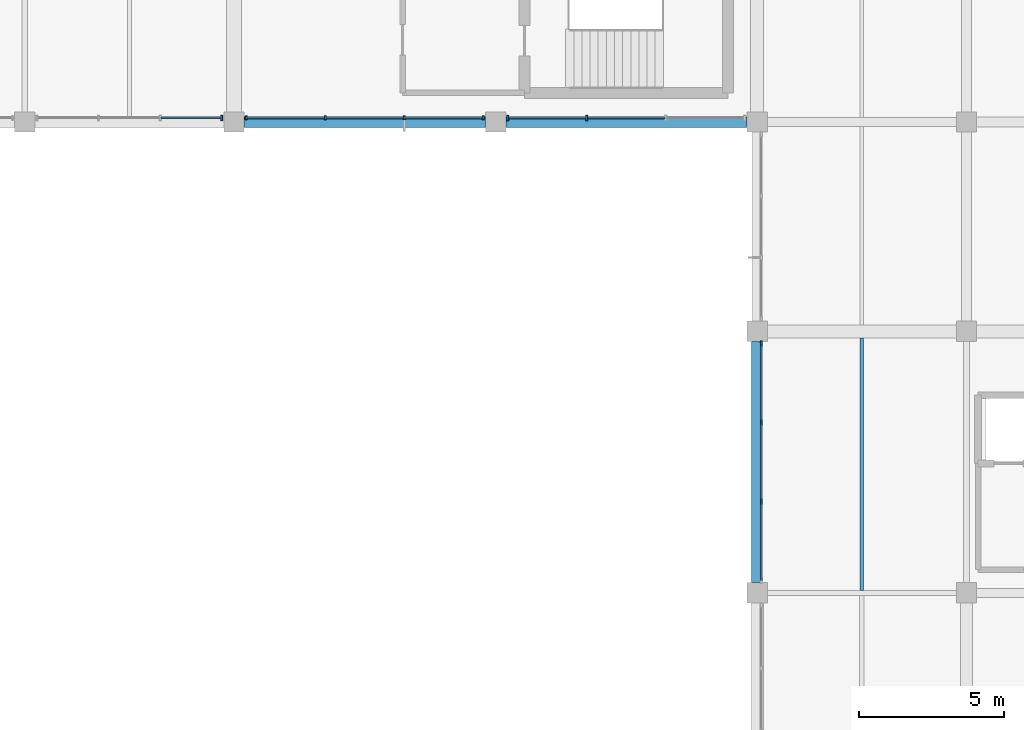
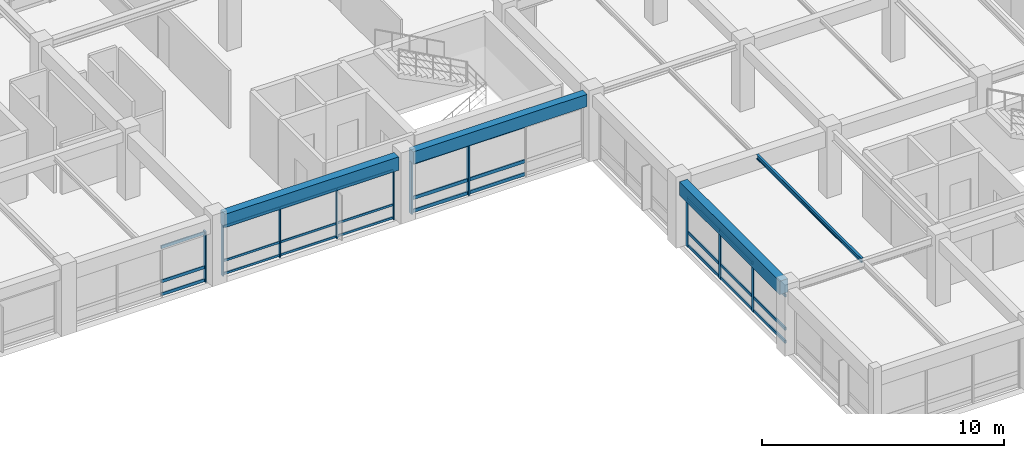
# One storey, part 27 of 52: 37 members, 4 beams, 4 elements without a shape of their own.
"""IFC4 building model written with IfcOpenShell, lengths in metres."""

from ifc_helpers import new_model, si_unit, direction, frame, origin, origin_2d, place, context, subcontext, project, spatial, rectangle, i_section, extrude, material, material_profile, profile_set, type_object, element, aggregate, save


model = new_model("IFC4")

# Units and contexts
model_context = context("Model", 3, precision=1e-05, world=origin(), true_north=direction((0.0, 1.0)))
body_context = subcontext(model_context, "Body", "Model", "MODEL_VIEW")
ifc_project = project(units=[si_unit("LENGTHUNIT", "METRE"), si_unit("AREAUNIT", "SQUARE_METRE"), si_unit("VOLUMEUNIT", "CUBIC_METRE"), si_unit("PLANEANGLEUNIT", "RADIAN"), si_unit("MASSUNIT", "GRAM", prefix="KILO")], contexts=[model_context])

# Site, building, storey
site_placement = place(None, origin())
site = spatial("IfcSite", under=ifc_project, at=site_placement, CompositionType="ELEMENT")
building_placement = place(site_placement, origin())
building = spatial("IfcBuilding", under=site, at=building_placement, Name="Clarverna Civic Hall", CompositionType="ELEMENT")
storey_placement = place(building_placement, frame((0.0, 0.0, 16.800048828125)))
storey = spatial("IfcBuildingStorey", under=building, at=storey_placement, Name="L04", CompositionType="ELEMENT", Elevation=16.800048828125)

# Beams
ifc_material_1 = material(Name="Concrete C35/45", Category="concrete")
ifc_material_profile_1 = material_profile(ifc_material_1, rectangle(XDim=0.3798828125, YDim=0.679931640625, at=origin_2d()), Name="RC 380x680")
ifc_profile_set_1 = profile_set([ifc_material_profile_1], Name="Concrete C35/45")
beam_type_1 = type_object("IfcBeamType", Name="B-SP2", PredefinedType="SPANDREL", material=ifc_profile_set_1)
for number, where, z_axis, x_axis, name in (
    (1, (129.949951171875, 95.0, 2.97998046875), (1.0, 0.0, 0.0), (0.0, 1.0, 0.0), "B-SP2-135"),
    (2, (147.60009765625, 79.14990234375, 2.97998046875), (0.0, 1.0, 0.0), (-1.0, 0.0, 0.0), "B-SP2-148"),
):
    element("IfcBeam", number, at=place(storey_placement, frame(where, z_axis=z_axis, x_axis=x_axis)), inside=storey, type_object=beam_type_1, Name=name, PredefinedType="SPANDREL", context=body_context, shape_type="SweptSolid", body=[
        extrude(rectangle(XDim=0.3798828125, YDim=0.679931640625, at=origin_2d()), origin(), (0.0, 0.0, 1.0), 8.300048828125),
    ])
ifc_material_profile_2 = material_profile(ifc_material_1, rectangle(XDim=0.360107421875, YDim=0.6201171875, at=origin_2d()), Name="RC 360x620")
ifc_profile_set_2 = profile_set([ifc_material_profile_2], Name="Concrete C35/45")
beam_type_2 = type_object("IfcBeamType", Name="B-SP3", PredefinedType="SPANDREL", material=ifc_profile_set_2)
beam_1_placement = place(storey_placement, frame((138.949951171875, 95.0, 3.010009765625), z_axis=(1.0, 0.0, 0.0), x_axis=(0.0, 1.0, 0.0)))
element("IfcBeam", 3, at=beam_1_placement, inside=storey, type_object=beam_type_2, Name="B-SP3-134", PredefinedType="SPANDREL", context=body_context, shape_type="SweptSolid", body=[
    extrude(rectangle(XDim=0.360107421875, YDim=0.6201171875, at=origin_2d()), origin(), (0.0, 0.0, 1.0), 8.300048828125),
])

# Curtain wall, members
ifc_material_2 = material(Name="Anodised Bronze Architectural Aluminium", Category="aluminium")
curtain_wall_type = type_object("IfcCurtainWallType", Name="CW-01", PredefinedType="USERDEFINED", material=ifc_material_2)
curtain_wall_1_placement = place(storey_placement, origin())
curtain_wall_1 = element("IfcCurtainWall", 4, at=curtain_wall_1_placement, inside=storey, type_object=curtain_wall_type, Name="CW-01-095", ObjectType="UNITISED CURTAIN WALL", PredefinedType="USERDEFINED")
ifc_material_profile_3 = material_profile(ifc_material_2, rectangle(XDim=0.06005859375, YDim=0.179931640625, at=origin_2d()), Name="BRONZE 60x180")
ifc_profile_set_3 = profile_set([ifc_material_profile_3], Name="Anodised Bronze Architectural Aluminium")
member_type_1 = type_object("IfcMemberType", Name="CWM-01", PredefinedType="MULLION", material=ifc_profile_set_3)
member_1_placement = place(storey_placement, frame((147.739990234375, 81.94091796875, 0.0), z_axis=(0.0, 0.0, 1.0), x_axis=(1.0, 0.0, 0.0)))
member_1 = element("IfcMember", 5, at=member_1_placement, type_object=member_type_1, Name="CWM-01-171", PredefinedType="MULLION", context=body_context, shape_type="SweptSolid", body=[
    extrude(rectangle(XDim=0.06005859375, YDim=0.179931640625, at=origin_2d()), origin(), (0.0, 0.0, 1.0), 2.52001953125),
])
member_2_placement = place(storey_placement, frame((147.739990234375, 84.658935546875, 0.0), z_axis=(0.0, 0.0, 1.0), x_axis=(1.0, 0.0, 0.0)))
member_2 = element("IfcMember", 6, at=member_2_placement, type_object=member_type_1, Name="CWM-01-172", PredefinedType="MULLION", context=body_context, shape_type="SweptSolid", body=[
    extrude(rectangle(XDim=0.06005859375, YDim=0.179931640625, at=origin_2d()), origin(), (0.0, 0.0, 1.0), 2.52001953125),
])
member_3_placement = place(storey_placement, frame((147.739990234375, 87.376953125, 0.0), z_axis=(0.0, 0.0, 1.0), x_axis=(1.0, 0.0, 0.0)))
member_3 = element("IfcMember", 7, at=member_3_placement, type_object=member_type_1, Name="CWM-01-173", PredefinedType="MULLION", context=body_context, shape_type="SweptSolid", body=[
    extrude(rectangle(XDim=0.06005859375, YDim=0.179931640625, at=origin_2d()), origin(), (0.0, 0.0, 1.0), 2.52001953125),
])

# Curtain wall, member
curtain_wall_2_placement = place(storey_placement, origin())
curtain_wall_2 = element("IfcCurtainWall", 8, at=curtain_wall_2_placement, inside=storey, type_object=curtain_wall_type, Name="CW-01-099", ObjectType="UNITISED CURTAIN WALL", PredefinedType="USERDEFINED")
member_4_placement = place(storey_placement, frame((129.177001953125, 95.139892578125, 0.0), z_axis=(0.0, 0.0, 1.0), x_axis=(1.0, 0.0, 0.0)))
member_4 = element("IfcMember", 9, at=member_4_placement, type_object=member_type_1, Name="CWM-01-174", PredefinedType="MULLION", context=body_context, shape_type="SweptSolid", body=[
    extrude(rectangle(XDim=0.06005859375, YDim=0.179931640625, at=origin_2d()), origin(), (0.0, 0.0, 1.0), 2.570068359375),
])

# Curtain wall, members
curtain_wall_3_placement = place(storey_placement, origin())
curtain_wall_3 = element("IfcCurtainWall", 10, at=curtain_wall_3_placement, inside=storey, type_object=curtain_wall_type, Name="CW-01-097", ObjectType="UNITISED CURTAIN WALL", PredefinedType="USERDEFINED")
ifc_material_profile_4 = material_profile(ifc_material_2, rectangle(XDim=0.06494140625, YDim=0.199951171875, at=origin_2d()), Name="BRONZE 65x200")
ifc_profile_set_4 = profile_set([ifc_material_profile_4], Name="Anodised Bronze Architectural Aluminium")
member_type_2 = type_object("IfcMemberType", Name="CWM-03", PredefinedType="MULLION", material=ifc_profile_set_4)
member_5_placement = place(storey_placement, frame((141.740966796875, 95.139892578125, 0.0), z_axis=(0.0, 0.0, 1.0), x_axis=(1.0, 0.0, 0.0)))
member_5 = element("IfcMember", 11, at=member_5_placement, type_object=member_type_2, Name="CWM-03-178", PredefinedType="MULLION", context=body_context, shape_type="SweptSolid", body=[
    extrude(rectangle(XDim=0.06494140625, YDim=0.199951171875, at=origin_2d()), origin(), (0.0, 0.0, 1.0), 2.619873046875),
])
member_6_placement = place(storey_placement, frame((139.02294921875, 95.139892578125, 0.0), z_axis=(0.0, 0.0, 1.0), x_axis=(1.0, 0.0, 0.0)))
member_6 = element("IfcMember", 12, at=member_6_placement, type_object=member_type_2, Name="CWM-03-179", PredefinedType="MULLION", context=body_context, shape_type="SweptSolid", body=[
    extrude(rectangle(XDim=0.06494140625, YDim=0.199951171875, at=origin_2d()), origin(), (0.0, 0.0, 1.0), 2.619873046875),
])

curtain_wall_4_placement = place(storey_placement, origin())
curtain_wall_4 = element("IfcCurtainWall", 13, at=curtain_wall_4_placement, inside=storey, type_object=curtain_wall_type, Name="CW-01-098", ObjectType="UNITISED CURTAIN WALL", PredefinedType="USERDEFINED")
ifc_material_profile_5 = material_profile(ifc_material_2, rectangle(XDim=0.054931640625, YDim=0.139892578125, at=origin_2d()), Name="BRONZE 55x140")
ifc_profile_set_5 = profile_set([ifc_material_profile_5], Name="Anodised Bronze Architectural Aluminium")
member_type_3 = type_object("IfcMemberType", Name="CWM-04", PredefinedType="MULLION", material=ifc_profile_set_5)
member_7_placement = place(storey_placement, frame((138.177001953125, 95.139892578125, 0.0), z_axis=(0.0, 0.0, 1.0), x_axis=(1.0, 0.0, 0.0)))
member_7 = element("IfcMember", 14, at=member_7_placement, type_object=member_type_3, Name="CWM-04-199", PredefinedType="MULLION", context=body_context, shape_type="SweptSolid", body=[
    extrude(rectangle(XDim=0.054931640625, YDim=0.139892578125, at=origin_2d()), origin(), (0.0, 0.0, 1.0), 2.570068359375),
])
member_8_placement = place(storey_placement, frame((135.458984375, 95.139892578125, 0.0), z_axis=(0.0, 0.0, 1.0), x_axis=(1.0, 0.0, 0.0)))
member_8 = element("IfcMember", 15, at=member_8_placement, type_object=member_type_3, Name="CWM-04-200", PredefinedType="MULLION", context=body_context, shape_type="SweptSolid", body=[
    extrude(rectangle(XDim=0.054931640625, YDim=0.139892578125, at=origin_2d()), origin(), (0.0, 0.0, 1.0), 2.570068359375),
])
member_9_placement = place(storey_placement, frame((132.740966796875, 95.139892578125, 0.0), z_axis=(0.0, 0.0, 1.0), x_axis=(1.0, 0.0, 0.0)))
member_9 = element("IfcMember", 16, at=member_9_placement, type_object=member_type_3, Name="CWM-04-201", PredefinedType="MULLION", context=body_context, shape_type="SweptSolid", body=[
    extrude(rectangle(XDim=0.054931640625, YDim=0.139892578125, at=origin_2d()), origin(), (0.0, 0.0, 1.0), 2.570068359375),
])
member_10_placement = place(storey_placement, frame((130.02294921875, 95.139892578125, 0.0), z_axis=(0.0, 0.0, 1.0), x_axis=(1.0, 0.0, 0.0)))
member_10 = element("IfcMember", 17, at=member_10_placement, type_object=member_type_3, Name="CWM-04-202", PredefinedType="MULLION", context=body_context, shape_type="SweptSolid", body=[
    extrude(rectangle(XDim=0.054931640625, YDim=0.139892578125, at=origin_2d()), origin(), (0.0, 0.0, 1.0), 2.570068359375),
])

# Member
ifc_material_profile_6 = material_profile(ifc_material_2, rectangle(XDim=0.06005859375, YDim=0.14990234375, at=origin_2d()), Name="BRONZE 60x150")
ifc_profile_set_6 = profile_set([ifc_material_profile_6], Name="Anodised Bronze Architectural Aluminium")
member_type_4 = type_object("IfcMemberType", Name="CWT-01", PredefinedType="USERDEFINED", material=ifc_profile_set_6)
member_11_placement = place(storey_placement, frame((147.739990234375, 79.238037109375, 0.094970703125), z_axis=(0.0, 1.0, 0.0), x_axis=(-1.0, 0.0, 0.0)))
member_11 = element("IfcMember", 18, at=member_11_placement, type_object=member_type_4, Name="CWT-01-361", ObjectType="TRANSOM", PredefinedType="USERDEFINED", context=body_context, shape_type="SweptSolid", body=[
    extrude(rectangle(XDim=0.06005859375, YDim=0.14990234375, at=origin_2d()), origin(), (0.0, 0.0, 1.0), 2.68798828125),
])

member_12_placement = place(storey_placement, frame((147.739990234375, 79.238037109375, 0.75), z_axis=(0.0, 1.0, 0.0), x_axis=(-1.0, 0.0, 0.0)))
member_12 = element("IfcMember", 19, at=member_12_placement, type_object=member_type_4, Name="CWT-01-362", ObjectType="TRANSOM", PredefinedType="USERDEFINED", context=body_context, shape_type="SweptSolid", body=[
    extrude(rectangle(XDim=0.06005859375, YDim=0.14990234375, at=origin_2d()), origin(), (0.0, 0.0, 1.0), 2.68798828125),
])

member_13_placement = place(storey_placement, frame((147.739990234375, 79.238037109375, 2.425048828125), z_axis=(0.0, 1.0, 0.0), x_axis=(-1.0, 0.0, 0.0)))
member_13 = element("IfcMember", 20, at=member_13_placement, type_object=member_type_4, Name="CWT-01-363", ObjectType="TRANSOM", PredefinedType="USERDEFINED", context=body_context, shape_type="SweptSolid", body=[
    extrude(rectangle(XDim=0.06005859375, YDim=0.14990234375, at=origin_2d()), origin(), (0.0, 0.0, 1.0), 2.68798828125),
])

member_14_placement = place(storey_placement, frame((147.739990234375, 81.9560546875, 0.094970703125), z_axis=(0.0, 1.0, 0.0), x_axis=(-1.0, 0.0, 0.0)))
member_14 = element("IfcMember", 21, at=member_14_placement, type_object=member_type_4, Name="CWT-01-364", ObjectType="TRANSOM", PredefinedType="USERDEFINED", context=body_context, shape_type="SweptSolid", body=[
    extrude(rectangle(XDim=0.06005859375, YDim=0.14990234375, at=origin_2d()), origin(), (0.0, 0.0, 1.0), 2.68798828125),
])

member_15_placement = place(storey_placement, frame((147.739990234375, 81.9560546875, 0.75), z_axis=(0.0, 1.0, 0.0), x_axis=(-1.0, 0.0, 0.0)))
member_15 = element("IfcMember", 22, at=member_15_placement, type_object=member_type_4, Name="CWT-01-365", ObjectType="TRANSOM", PredefinedType="USERDEFINED", context=body_context, shape_type="SweptSolid", body=[
    extrude(rectangle(XDim=0.06005859375, YDim=0.14990234375, at=origin_2d()), origin(), (0.0, 0.0, 1.0), 2.68798828125),
])

member_16_placement = place(storey_placement, frame((147.739990234375, 81.9560546875, 2.425048828125), z_axis=(0.0, 1.0, 0.0), x_axis=(-1.0, 0.0, 0.0)))
member_16 = element("IfcMember", 23, at=member_16_placement, type_object=member_type_4, Name="CWT-01-366", ObjectType="TRANSOM", PredefinedType="USERDEFINED", context=body_context, shape_type="SweptSolid", body=[
    extrude(rectangle(XDim=0.06005859375, YDim=0.14990234375, at=origin_2d()), origin(), (0.0, 0.0, 1.0), 2.68798828125),
])

member_17_placement = place(storey_placement, frame((147.739990234375, 84.674072265625, 0.094970703125), z_axis=(0.0, 1.0, 0.0), x_axis=(-1.0, 0.0, 0.0)))
member_17 = element("IfcMember", 24, at=member_17_placement, type_object=member_type_4, Name="CWT-01-367", ObjectType="TRANSOM", PredefinedType="USERDEFINED", context=body_context, shape_type="SweptSolid", body=[
    extrude(rectangle(XDim=0.06005859375, YDim=0.14990234375, at=origin_2d()), origin(), (0.0, 0.0, 1.0), 2.68798828125),
])

member_18_placement = place(storey_placement, frame((147.739990234375, 84.674072265625, 0.75), z_axis=(0.0, 1.0, 0.0), x_axis=(-1.0, 0.0, 0.0)))
member_18 = element("IfcMember", 25, at=member_18_placement, type_object=member_type_4, Name="CWT-01-368", ObjectType="TRANSOM", PredefinedType="USERDEFINED", context=body_context, shape_type="SweptSolid", body=[
    extrude(rectangle(XDim=0.06005859375, YDim=0.14990234375, at=origin_2d()), origin(), (0.0, 0.0, 1.0), 2.68798828125),
])

member_19_placement = place(storey_placement, frame((147.739990234375, 84.674072265625, 2.425048828125), z_axis=(0.0, 1.0, 0.0), x_axis=(-1.0, 0.0, 0.0)))
member_19 = element("IfcMember", 26, at=member_19_placement, type_object=member_type_4, Name="CWT-01-369", ObjectType="TRANSOM", PredefinedType="USERDEFINED", context=body_context, shape_type="SweptSolid", body=[
    extrude(rectangle(XDim=0.06005859375, YDim=0.14990234375, at=origin_2d()), origin(), (0.0, 0.0, 1.0), 2.68798828125),
])

aggregate(curtain_wall_1, [member_1, member_2, member_3, member_11, member_12, member_13, member_14, member_15, member_16, member_17, member_18, member_19])

member_20_placement = place(storey_placement, frame((129.162109375, 95.139892578125, 0.094970703125), z_axis=(-1.0, 0.0, 0.0), x_axis=(0.0, -1.0, 0.0)))
member_20 = element("IfcMember", 27, at=member_20_placement, type_object=member_type_4, Name="CWT-01-370", ObjectType="TRANSOM", PredefinedType="USERDEFINED", context=body_context, shape_type="SweptSolid", body=[
    extrude(rectangle(XDim=0.06005859375, YDim=0.14990234375, at=origin_2d()), origin(), (0.0, 0.0, 1.0), 2.088134765625),
])

member_21_placement = place(storey_placement, frame((129.162109375, 95.139892578125, 0.75), z_axis=(-1.0, 0.0, 0.0), x_axis=(0.0, -1.0, 0.0)))
member_21 = element("IfcMember", 28, at=member_21_placement, type_object=member_type_4, Name="CWT-01-371", ObjectType="TRANSOM", PredefinedType="USERDEFINED", context=body_context, shape_type="SweptSolid", body=[
    extrude(rectangle(XDim=0.06005859375, YDim=0.14990234375, at=origin_2d()), origin(), (0.0, 0.0, 1.0), 2.088134765625),
])

member_22_placement = place(storey_placement, frame((129.162109375, 95.139892578125, 2.474853515625), z_axis=(-1.0, 0.0, 0.0), x_axis=(0.0, -1.0, 0.0)))
member_22 = element("IfcMember", 29, at=member_22_placement, type_object=member_type_4, Name="CWT-01-372", ObjectType="TRANSOM", PredefinedType="USERDEFINED", context=body_context, shape_type="SweptSolid", body=[
    extrude(rectangle(XDim=0.06005859375, YDim=0.14990234375, at=origin_2d()), origin(), (0.0, 0.0, 1.0), 2.088134765625),
])

aggregate(curtain_wall_2, [member_4, member_20, member_21, member_22])

ifc_material_profile_7 = material_profile(ifc_material_2, rectangle(XDim=0.06494140625, YDim=0.169921875, at=origin_2d()), Name="BRONZE 65x170")
ifc_profile_set_7 = profile_set([ifc_material_profile_7], Name="Anodised Bronze Architectural Aluminium")
member_type_5 = type_object("IfcMemberType", Name="CWT-03", PredefinedType="USERDEFINED", material=ifc_profile_set_7)
member_23_placement = place(storey_placement, frame((144.444091796875, 95.139892578125, 0.094970703125), z_axis=(-1.0, 0.0, 0.0), x_axis=(0.0, -1.0, 0.0)))
member_23 = element("IfcMember", 30, at=member_23_placement, type_object=member_type_5, Name="CWT-03-376", ObjectType="TRANSOM", PredefinedType="USERDEFINED", context=body_context, shape_type="SweptSolid", body=[
    extrude(rectangle(XDim=0.06494140625, YDim=0.169921875, at=origin_2d()), origin(), (0.0, 0.0, 1.0), 2.68798828125),
])

member_24_placement = place(storey_placement, frame((144.444091796875, 95.139892578125, 0.75), z_axis=(-1.0, 0.0, 0.0), x_axis=(0.0, -1.0, 0.0)))
member_24 = element("IfcMember", 31, at=member_24_placement, type_object=member_type_5, Name="CWT-03-377", ObjectType="TRANSOM", PredefinedType="USERDEFINED", context=body_context, shape_type="SweptSolid", body=[
    extrude(rectangle(XDim=0.06494140625, YDim=0.169921875, at=origin_2d()), origin(), (0.0, 0.0, 1.0), 2.68798828125),
])

member_25_placement = place(storey_placement, frame((144.444091796875, 95.139892578125, 2.52490234375), z_axis=(-1.0, 0.0, 0.0), x_axis=(0.0, -1.0, 0.0)))
member_25 = element("IfcMember", 32, at=member_25_placement, type_object=member_type_5, Name="CWT-03-378", ObjectType="TRANSOM", PredefinedType="USERDEFINED", context=body_context, shape_type="SweptSolid", body=[
    extrude(rectangle(XDim=0.06494140625, YDim=0.169921875, at=origin_2d()), origin(), (0.0, 0.0, 1.0), 2.68798828125),
])

member_26_placement = place(storey_placement, frame((141.72607421875, 95.139892578125, 0.094970703125), z_axis=(-1.0, 0.0, 0.0), x_axis=(0.0, -1.0, 0.0)))
member_26 = element("IfcMember", 33, at=member_26_placement, type_object=member_type_5, Name="CWT-03-379", ObjectType="TRANSOM", PredefinedType="USERDEFINED", context=body_context, shape_type="SweptSolid", body=[
    extrude(rectangle(XDim=0.06494140625, YDim=0.169921875, at=origin_2d()), origin(), (0.0, 0.0, 1.0), 2.68798828125),
])

member_27_placement = place(storey_placement, frame((141.72607421875, 95.139892578125, 0.75), z_axis=(-1.0, 0.0, 0.0), x_axis=(0.0, -1.0, 0.0)))
member_27 = element("IfcMember", 34, at=member_27_placement, type_object=member_type_5, Name="CWT-03-380", ObjectType="TRANSOM", PredefinedType="USERDEFINED", context=body_context, shape_type="SweptSolid", body=[
    extrude(rectangle(XDim=0.06494140625, YDim=0.169921875, at=origin_2d()), origin(), (0.0, 0.0, 1.0), 2.68798828125),
])

member_28_placement = place(storey_placement, frame((141.72607421875, 95.139892578125, 2.52490234375), z_axis=(-1.0, 0.0, 0.0), x_axis=(0.0, -1.0, 0.0)))
member_28 = element("IfcMember", 35, at=member_28_placement, type_object=member_type_5, Name="CWT-03-381", ObjectType="TRANSOM", PredefinedType="USERDEFINED", context=body_context, shape_type="SweptSolid", body=[
    extrude(rectangle(XDim=0.06494140625, YDim=0.169921875, at=origin_2d()), origin(), (0.0, 0.0, 1.0), 2.68798828125),
])

aggregate(curtain_wall_3, [member_5, member_6, member_23, member_24, member_25, member_26, member_27, member_28])

ifc_material_profile_8 = material_profile(ifc_material_2, rectangle(XDim=0.054931640625, YDim=0.110107421875, at=origin_2d()), Name="BRONZE 55x110")
ifc_profile_set_8 = profile_set([ifc_material_profile_8], Name="Anodised Bronze Architectural Aluminium")
member_type_6 = type_object("IfcMemberType", Name="CWT-04", PredefinedType="USERDEFINED", material=ifc_profile_set_8)
member_29_placement = place(storey_placement, frame((138.162109375, 95.139892578125, 0.094970703125), z_axis=(-1.0, 0.0, 0.0), x_axis=(0.0, -1.0, 0.0)))
member_29 = element("IfcMember", 36, at=member_29_placement, type_object=member_type_6, Name="CWT-04-421", ObjectType="TRANSOM", PredefinedType="USERDEFINED", context=body_context, shape_type="SweptSolid", body=[
    extrude(rectangle(XDim=0.054931640625, YDim=0.110107421875, at=origin_2d()), origin(), (0.0, 0.0, 1.0), 2.68798828125),
])

member_30_placement = place(storey_placement, frame((138.162109375, 95.139892578125, 0.75), z_axis=(-1.0, 0.0, 0.0), x_axis=(0.0, -1.0, 0.0)))
member_30 = element("IfcMember", 37, at=member_30_placement, type_object=member_type_6, Name="CWT-04-422", ObjectType="TRANSOM", PredefinedType="USERDEFINED", context=body_context, shape_type="SweptSolid", body=[
    extrude(rectangle(XDim=0.054931640625, YDim=0.110107421875, at=origin_2d()), origin(), (0.0, 0.0, 1.0), 2.68798828125),
])

member_31_placement = place(storey_placement, frame((138.162109375, 95.139892578125, 2.474853515625), z_axis=(-1.0, 0.0, 0.0), x_axis=(0.0, -1.0, 0.0)))
member_31 = element("IfcMember", 38, at=member_31_placement, type_object=member_type_6, Name="CWT-04-423", ObjectType="TRANSOM", PredefinedType="USERDEFINED", context=body_context, shape_type="SweptSolid", body=[
    extrude(rectangle(XDim=0.054931640625, YDim=0.110107421875, at=origin_2d()), origin(), (0.0, 0.0, 1.0), 2.68798828125),
])

member_32_placement = place(storey_placement, frame((135.444091796875, 95.139892578125, 0.094970703125), z_axis=(-1.0, 0.0, 0.0), x_axis=(0.0, -1.0, 0.0)))
member_32 = element("IfcMember", 39, at=member_32_placement, type_object=member_type_6, Name="CWT-04-424", ObjectType="TRANSOM", PredefinedType="USERDEFINED", context=body_context, shape_type="SweptSolid", body=[
    extrude(rectangle(XDim=0.054931640625, YDim=0.110107421875, at=origin_2d()), origin(), (0.0, 0.0, 1.0), 2.68798828125),
])

member_33_placement = place(storey_placement, frame((135.444091796875, 95.139892578125, 0.75), z_axis=(-1.0, 0.0, 0.0), x_axis=(0.0, -1.0, 0.0)))
member_33 = element("IfcMember", 40, at=member_33_placement, type_object=member_type_6, Name="CWT-04-425", ObjectType="TRANSOM", PredefinedType="USERDEFINED", context=body_context, shape_type="SweptSolid", body=[
    extrude(rectangle(XDim=0.054931640625, YDim=0.110107421875, at=origin_2d()), origin(), (0.0, 0.0, 1.0), 2.68798828125),
])

member_34_placement = place(storey_placement, frame((135.444091796875, 95.139892578125, 2.474853515625), z_axis=(-1.0, 0.0, 0.0), x_axis=(0.0, -1.0, 0.0)))
member_34 = element("IfcMember", 41, at=member_34_placement, type_object=member_type_6, Name="CWT-04-426", ObjectType="TRANSOM", PredefinedType="USERDEFINED", context=body_context, shape_type="SweptSolid", body=[
    extrude(rectangle(XDim=0.054931640625, YDim=0.110107421875, at=origin_2d()), origin(), (0.0, 0.0, 1.0), 2.68798828125),
])

member_35_placement = place(storey_placement, frame((132.72607421875, 95.139892578125, 0.094970703125), z_axis=(-1.0, 0.0, 0.0), x_axis=(0.0, -1.0, 0.0)))
member_35 = element("IfcMember", 42, at=member_35_placement, type_object=member_type_6, Name="CWT-04-427", ObjectType="TRANSOM", PredefinedType="USERDEFINED", context=body_context, shape_type="SweptSolid", body=[
    extrude(rectangle(XDim=0.054931640625, YDim=0.110107421875, at=origin_2d()), origin(), (0.0, 0.0, 1.0), 2.68798828125),
])

member_36_placement = place(storey_placement, frame((132.72607421875, 95.139892578125, 0.75), z_axis=(-1.0, 0.0, 0.0), x_axis=(0.0, -1.0, 0.0)))
member_36 = element("IfcMember", 43, at=member_36_placement, type_object=member_type_6, Name="CWT-04-428", ObjectType="TRANSOM", PredefinedType="USERDEFINED", context=body_context, shape_type="SweptSolid", body=[
    extrude(rectangle(XDim=0.054931640625, YDim=0.110107421875, at=origin_2d()), origin(), (0.0, 0.0, 1.0), 2.68798828125),
])

member_37_placement = place(storey_placement, frame((132.72607421875, 95.139892578125, 2.474853515625), z_axis=(-1.0, 0.0, 0.0), x_axis=(0.0, -1.0, 0.0)))
member_37 = element("IfcMember", 44, at=member_37_placement, type_object=member_type_6, Name="CWT-04-429", ObjectType="TRANSOM", PredefinedType="USERDEFINED", context=body_context, shape_type="SweptSolid", body=[
    extrude(rectangle(XDim=0.054931640625, YDim=0.110107421875, at=origin_2d()), origin(), (0.0, 0.0, 1.0), 2.68798828125),
])

aggregate(curtain_wall_4, [member_7, member_8, member_9, member_10, member_29, member_30, member_31, member_32, member_33, member_34, member_35, member_36, member_37])

# Beam
ifc_material_3 = material(Name="Steel S355", Category="steel")
ifc_material_profile_9 = material_profile(ifc_material_3, i_section(OverallWidth=0.110107421875, OverallDepth=0.219970703125, WebThickness=0.005859375, FlangeThickness=0.00927734375, FilletRadius=0.011962890625, at=origin_2d()), Name="IPE 220")
ifc_profile_set_9 = profile_set([ifc_material_profile_9], Name="Steel S355")
beam_type_3 = type_object("IfcBeamType", Name="J-ST6", PredefinedType="JOIST", material=ifc_profile_set_9)
beam_2_placement = place(storey_placement, frame((151.199951171875, 78.889892578125, 3.2099609375), z_axis=(0.0, 1.0, 0.0), x_axis=(-1.0, 0.0, 0.0)))
element("IfcBeam", 45, at=beam_2_placement, inside=storey, type_object=beam_type_3, Name="J-ST6-067", PredefinedType="JOIST", context=body_context, shape_type="SweptSolid", body=[
    extrude(i_section(OverallWidth=0.110107421875, OverallDepth=0.219970703125, WebThickness=0.005859375, FlangeThickness=0.00927734375, FilletRadius=0.011962890625, at=origin_2d()), origin(), (0.0, 0.0, 1.0), 8.68505859375),
])

save(model, "model.ifc")
